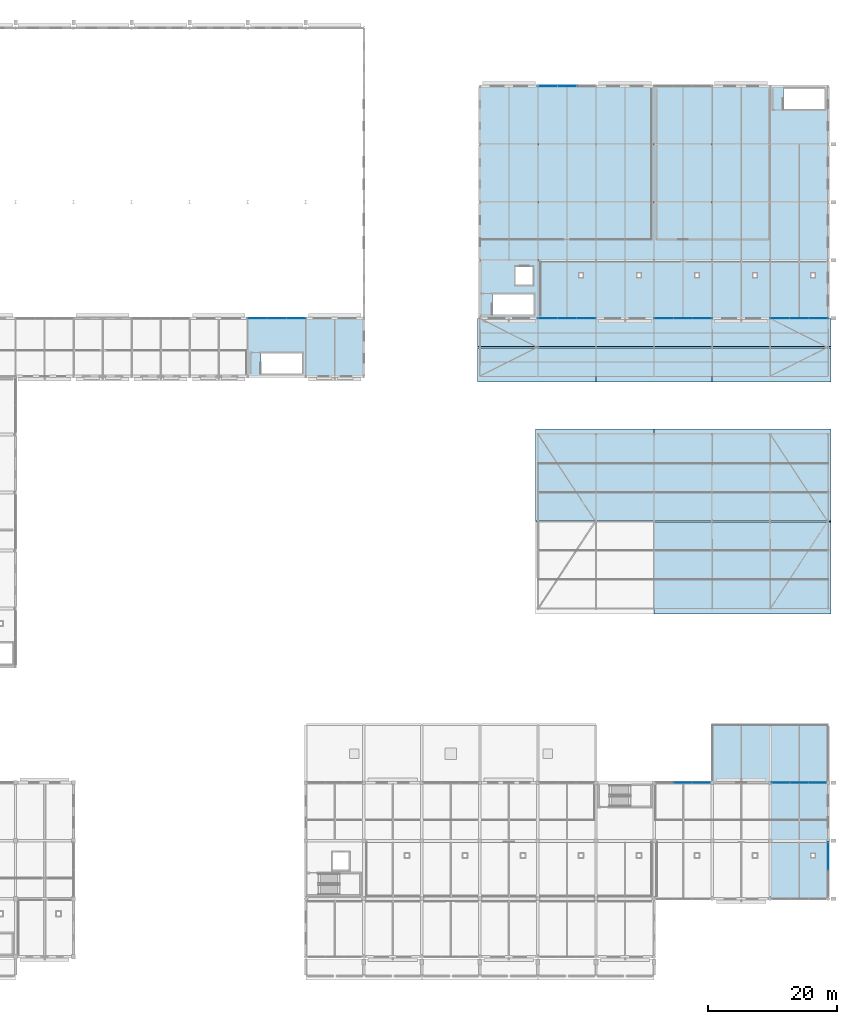
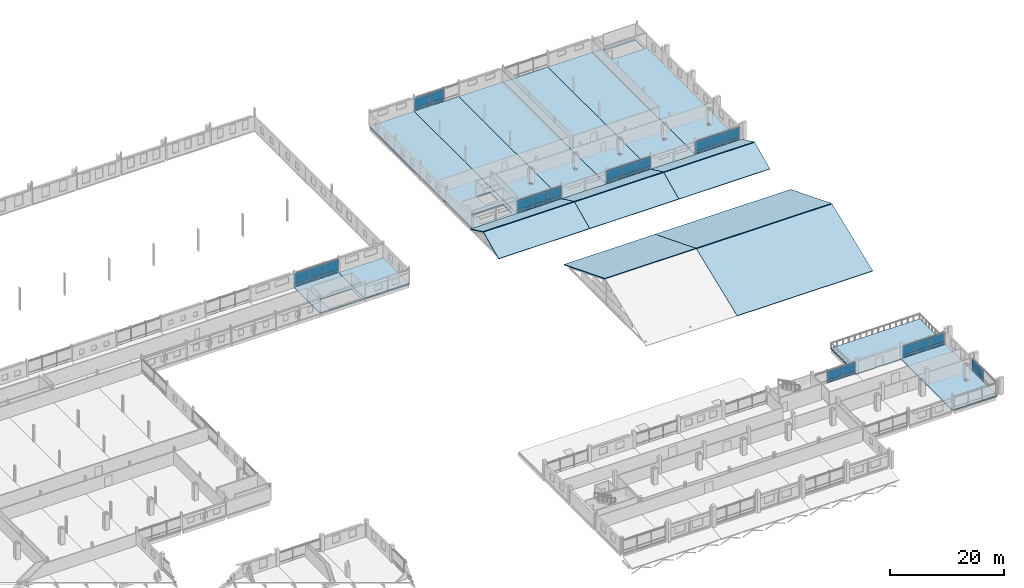
# One storey, part 96 of 132: 40 plates, 19 slabs, 8 elements without a shape of their own.
"""IFC4 building model written with IfcOpenShell, lengths in metres."""

from ifc_helpers import new_model, si_unit, direction, frame, origin, origin_2d, place, context, subcontext, project, spatial, polyline, rectangle, outline, extrude, material, layer, layer_set, type_object, element, aggregate, save


model = new_model("IFC4")

# Units and contexts
model_context = context("Model", 3, precision=1e-05, world=origin(), true_north=direction((0.0, 1.0)))
body_context = subcontext(model_context, "Body", "Model", "MODEL_VIEW")
ifc_project = project(units=[si_unit("LENGTHUNIT", "METRE"), si_unit("AREAUNIT", "SQUARE_METRE"), si_unit("VOLUMEUNIT", "CUBIC_METRE"), si_unit("PLANEANGLEUNIT", "RADIAN"), si_unit("MASSUNIT", "GRAM", prefix="KILO")], contexts=[model_context])

# Site, building, storey
site_placement = place(None, origin())
site = spatial("IfcSite", under=ifc_project, at=site_placement, CompositionType="ELEMENT")
building_placement = place(site_placement, origin())
building = spatial("IfcBuilding", under=site, at=building_placement, Name="Tharagai Park Tramway Depot", CompositionType="ELEMENT")
storey_placement = place(building_placement, frame((0.0, 0.0, 4.800048828125)))
storey = spatial("IfcBuildingStorey", under=building, at=storey_placement, Name="L01", CompositionType="ELEMENT", Elevation=4.800048828125)

# Curtain wall, plates
ifc_material_1 = material(Name="Anodised aluminium", Category="aluminium")
curtain_wall_type_1 = type_object("IfcCurtainWallType", Name="CW-06", PredefinedType="NOTDEFINED", material=ifc_material_1)
curtain_wall_1_placement = place(storey_placement, origin())
curtain_wall_1 = element("IfcCurtainWall", 1, at=curtain_wall_1_placement, inside=storey, type_object=curtain_wall_type_1, Name="L01 V5 Gothic Mullioned Curtain Wall CW-06", PredefinedType="NOTDEFINED")
ifc_layer_1 = layer(ifc_material_1, 0.0400390625)
ifc_layer_set_1 = layer_set([ifc_layer_1], Name="Anodised aluminium")
plate_type_1 = type_object("IfcPlateType", Name="CP-01", PredefinedType="CURTAIN_PANEL", material=ifc_layer_set_1)
plate_1_placement = place(storey_placement, frame((193.5, 27.0, 0.080078125), z_axis=(0.0, 0.0, 1.0), x_axis=(1.0, 0.0, 0.0)))
plate_1 = element("IfcPlate", 2, at=plate_1_placement, type_object=plate_type_1, Name="L01 V5 Gothic Mullioned Curtain Wall Spandrel Panel 2.1", PredefinedType="CURTAIN_PANEL", context=body_context, shape_type="SweptSolid", body=[
    extrude(rectangle(XDim=2.80322265625, YDim=0.0400390625, at=origin_2d()), origin(), (0.0, 0.0, 1.0), 0.550048828125),
])
plate_2_placement = place(storey_placement, frame((196.3232421875, 27.0, 0.080078125), z_axis=(0.0, 0.0, 1.0), x_axis=(1.0, 0.0, 0.0)))
plate_2 = element("IfcPlate", 3, at=plate_2_placement, type_object=plate_type_1, Name="L01 V5 Gothic Mullioned Curtain Wall Spandrel Panel 3.1", PredefinedType="CURTAIN_PANEL", context=body_context, shape_type="SweptSolid", body=[
    extrude(rectangle(XDim=2.80322265625, YDim=0.0400390625, at=origin_2d()), origin(), (0.0, 0.0, 1.0), 0.550048828125),
])

curtain_wall_2_placement = place(storey_placement, origin())
curtain_wall_2 = element("IfcCurtainWall", 4, at=curtain_wall_2_placement, inside=storey, type_object=curtain_wall_type_1, Name="L01 V5 Gothic Mullioned Curtain Wall CW-06", PredefinedType="NOTDEFINED")
plate_3_placement = place(storey_placement, frame((208.6767578125, 27.0, 0.080078125), z_axis=(0.0, 0.0, 1.0), x_axis=(1.0, 0.0, 0.0)))
plate_3 = element("IfcPlate", 5, at=plate_3_placement, type_object=plate_type_1, Name="L01 V5 Gothic Mullioned Curtain Wall Spandrel Panel 1.1", PredefinedType="CURTAIN_PANEL", context=body_context, shape_type="SweptSolid", body=[
    extrude(rectangle(XDim=2.80322265625, YDim=0.0400390625, at=origin_2d()), origin(), (0.0, 0.0, 1.0), 0.550048828125),
])
plate_4_placement = place(storey_placement, frame((211.5, 27.0, 0.080078125), z_axis=(0.0, 0.0, 1.0), x_axis=(1.0, 0.0, 0.0)))
plate_4 = element("IfcPlate", 6, at=plate_4_placement, type_object=plate_type_1, Name="L01 V5 Gothic Mullioned Curtain Wall Spandrel Panel 2.1", PredefinedType="CURTAIN_PANEL", context=body_context, shape_type="SweptSolid", body=[
    extrude(rectangle(XDim=2.80322265625, YDim=0.0400390625, at=origin_2d()), origin(), (0.0, 0.0, 1.0), 0.550048828125),
])
plate_5_placement = place(storey_placement, frame((214.3232421875, 27.0, 0.080078125), z_axis=(0.0, 0.0, 1.0), x_axis=(1.0, 0.0, 0.0)))
plate_5 = element("IfcPlate", 7, at=plate_5_placement, type_object=plate_type_1, Name="L01 V5 Gothic Mullioned Curtain Wall Spandrel Panel 3.1", PredefinedType="CURTAIN_PANEL", context=body_context, shape_type="SweptSolid", body=[
    extrude(rectangle(XDim=2.80322265625, YDim=0.0400390625, at=origin_2d()), origin(), (0.0, 0.0, 1.0), 0.550048828125),
])

curtain_wall_type_2 = type_object("IfcCurtainWallType", Name="CW-01", PredefinedType="NOTDEFINED", material=ifc_material_1)
curtain_wall_3_placement = place(storey_placement, origin())
curtain_wall_3 = element("IfcCurtainWall", 8, at=curtain_wall_3_placement, inside=storey, type_object=curtain_wall_type_2, Name="L01 V1 Gothic Mullioned Curtain Wall CW-01", PredefinedType="NOTDEFINED")
plate_6_placement = place(storey_placement, frame((127.497314453125, 99.0, 0.080078125), z_axis=(0.0, 0.0, 1.0), x_axis=(1.0, 0.0, 0.0)))
plate_6 = element("IfcPlate", 9, at=plate_6_placement, type_object=plate_type_1, Name="L01 V1 Gothic Mullioned Curtain Wall Spandrel Panel 1.1", PredefinedType="CURTAIN_PANEL", context=body_context, shape_type="SweptSolid", body=[
    extrude(rectangle(XDim=2.982666015625, YDim=0.0400390625, at=origin_2d()), origin(), (0.0, 0.0, 1.0), 0.550048828125),
])
plate_7_placement = place(storey_placement, frame((130.5, 99.0, 0.080078125), z_axis=(0.0, 0.0, 1.0), x_axis=(1.0, 0.0, 0.0)))
plate_7 = element("IfcPlate", 10, at=plate_7_placement, type_object=plate_type_1, Name="L01 V1 Gothic Mullioned Curtain Wall Spandrel Panel 2.1", PredefinedType="CURTAIN_PANEL", context=body_context, shape_type="SweptSolid", body=[
    extrude(rectangle(XDim=2.982666015625, YDim=0.0400390625, at=origin_2d()), origin(), (0.0, 0.0, 1.0), 0.550048828125),
])
plate_8_placement = place(storey_placement, frame((133.502685546875, 99.0, 0.080078125), z_axis=(0.0, 0.0, 1.0), x_axis=(1.0, 0.0, 0.0)))
plate_8 = element("IfcPlate", 11, at=plate_8_placement, type_object=plate_type_1, Name="L01 V1 Gothic Mullioned Curtain Wall Spandrel Panel 3.1", PredefinedType="CURTAIN_PANEL", context=body_context, shape_type="SweptSolid", body=[
    extrude(rectangle(XDim=2.982666015625, YDim=0.0400390625, at=origin_2d()), origin(), (0.0, 0.0, 1.0), 0.550048828125),
])

curtain_wall_4_placement = place(storey_placement, origin())
curtain_wall_4 = element("IfcCurtainWall", 12, at=curtain_wall_4_placement, inside=storey, type_object=curtain_wall_type_2, Name="L01 V3 Gothic Mullioned Curtain Wall CW-01", PredefinedType="NOTDEFINED")
plate_9_placement = place(storey_placement, frame((172.497314453125, 99.0, 0.080078125), z_axis=(0.0, 0.0, 1.0), x_axis=(1.0, 0.0, 0.0)))
plate_9 = element("IfcPlate", 13, at=plate_9_placement, type_object=plate_type_1, Name="L01 V3 Gothic Mullioned Curtain Wall Spandrel Panel 1.1", PredefinedType="CURTAIN_PANEL", context=body_context, shape_type="SweptSolid", body=[
    extrude(rectangle(XDim=2.982666015625, YDim=0.0400390625, at=origin_2d()), origin(), (0.0, 0.0, 1.0), 0.550048828125),
])
plate_10_placement = place(storey_placement, frame((175.5, 99.0, 0.080078125), z_axis=(0.0, 0.0, 1.0), x_axis=(1.0, 0.0, 0.0)))
plate_10 = element("IfcPlate", 14, at=plate_10_placement, type_object=plate_type_1, Name="L01 V3 Gothic Mullioned Curtain Wall Spandrel Panel 2.1", PredefinedType="CURTAIN_PANEL", context=body_context, shape_type="SweptSolid", body=[
    extrude(rectangle(XDim=2.982666015625, YDim=0.0400390625, at=origin_2d()), origin(), (0.0, 0.0, 1.0), 0.550048828125),
])
plate_11_placement = place(storey_placement, frame((178.502685546875, 99.0, 0.080078125), z_axis=(0.0, 0.0, 1.0), x_axis=(1.0, 0.0, 0.0)))
plate_11 = element("IfcPlate", 15, at=plate_11_placement, type_object=plate_type_1, Name="L01 V3 Gothic Mullioned Curtain Wall Spandrel Panel 3.1", PredefinedType="CURTAIN_PANEL", context=body_context, shape_type="SweptSolid", body=[
    extrude(rectangle(XDim=2.982666015625, YDim=0.0400390625, at=origin_2d()), origin(), (0.0, 0.0, 1.0), 0.550048828125),
])

curtain_wall_5_placement = place(storey_placement, origin())
curtain_wall_5 = element("IfcCurtainWall", 16, at=curtain_wall_5_placement, inside=storey, type_object=curtain_wall_type_2, Name="L01 V3 Gothic Mullioned Curtain Wall CW-01", PredefinedType="NOTDEFINED")
plate_12_placement = place(storey_placement, frame((190.497314453125, 99.0, 0.080078125), z_axis=(0.0, 0.0, 1.0), x_axis=(1.0, 0.0, 0.0)))
plate_12 = element("IfcPlate", 17, at=plate_12_placement, type_object=plate_type_1, Name="L01 V3 Gothic Mullioned Curtain Wall Spandrel Panel 1.1", PredefinedType="CURTAIN_PANEL", context=body_context, shape_type="SweptSolid", body=[
    extrude(rectangle(XDim=2.982666015625, YDim=0.0400390625, at=origin_2d()), origin(), (0.0, 0.0, 1.0), 0.550048828125),
])
plate_13_placement = place(storey_placement, frame((193.5, 99.0, 0.080078125), z_axis=(0.0, 0.0, 1.0), x_axis=(1.0, 0.0, 0.0)))
plate_13 = element("IfcPlate", 18, at=plate_13_placement, type_object=plate_type_1, Name="L01 V3 Gothic Mullioned Curtain Wall Spandrel Panel 2.1", PredefinedType="CURTAIN_PANEL", context=body_context, shape_type="SweptSolid", body=[
    extrude(rectangle(XDim=2.982666015625, YDim=0.0400390625, at=origin_2d()), origin(), (0.0, 0.0, 1.0), 0.550048828125),
])
plate_14_placement = place(storey_placement, frame((196.502685546875, 99.0, 0.080078125), z_axis=(0.0, 0.0, 1.0), x_axis=(1.0, 0.0, 0.0)))
plate_14 = element("IfcPlate", 19, at=plate_14_placement, type_object=plate_type_1, Name="L01 V3 Gothic Mullioned Curtain Wall Spandrel Panel 3.1", PredefinedType="CURTAIN_PANEL", context=body_context, shape_type="SweptSolid", body=[
    extrude(rectangle(XDim=2.982666015625, YDim=0.0400390625, at=origin_2d()), origin(), (0.0, 0.0, 1.0), 0.550048828125),
])

curtain_wall_6_placement = place(storey_placement, origin())
curtain_wall_6 = element("IfcCurtainWall", 20, at=curtain_wall_6_placement, inside=storey, type_object=curtain_wall_type_2, Name="L01 V3 Gothic Mullioned Curtain Wall CW-01", PredefinedType="NOTDEFINED")
plate_15_placement = place(storey_placement, frame((208.497314453125, 99.0, 0.080078125), z_axis=(0.0, 0.0, 1.0), x_axis=(1.0, 0.0, 0.0)))
plate_15 = element("IfcPlate", 21, at=plate_15_placement, type_object=plate_type_1, Name="L01 V3 Gothic Mullioned Curtain Wall Spandrel Panel 1.1", PredefinedType="CURTAIN_PANEL", context=body_context, shape_type="SweptSolid", body=[
    extrude(rectangle(XDim=2.982666015625, YDim=0.0400390625, at=origin_2d()), origin(), (0.0, 0.0, 1.0), 0.550048828125),
])
plate_16_placement = place(storey_placement, frame((211.5, 99.0, 0.080078125), z_axis=(0.0, 0.0, 1.0), x_axis=(1.0, 0.0, 0.0)))
plate_16 = element("IfcPlate", 22, at=plate_16_placement, type_object=plate_type_1, Name="L01 V3 Gothic Mullioned Curtain Wall Spandrel Panel 2.1", PredefinedType="CURTAIN_PANEL", context=body_context, shape_type="SweptSolid", body=[
    extrude(rectangle(XDim=2.982666015625, YDim=0.0400390625, at=origin_2d()), origin(), (0.0, 0.0, 1.0), 0.550048828125),
])
plate_17_placement = place(storey_placement, frame((214.502685546875, 99.0, 0.080078125), z_axis=(0.0, 0.0, 1.0), x_axis=(1.0, 0.0, 0.0)))
plate_17 = element("IfcPlate", 23, at=plate_17_placement, type_object=plate_type_1, Name="L01 V3 Gothic Mullioned Curtain Wall Spandrel Panel 3.1", PredefinedType="CURTAIN_PANEL", context=body_context, shape_type="SweptSolid", body=[
    extrude(rectangle(XDim=2.982666015625, YDim=0.0400390625, at=origin_2d()), origin(), (0.0, 0.0, 1.0), 0.550048828125),
])

curtain_wall_7_placement = place(storey_placement, origin())
curtain_wall_7 = element("IfcCurtainWall", 24, at=curtain_wall_7_placement, inside=storey, type_object=curtain_wall_type_2, Name="L01 V3 Gothic Mullioned Curtain Wall CW-01", PredefinedType="NOTDEFINED")
plate_18_placement = place(storey_placement, frame((172.497314453125, 135.0, 0.080078125), z_axis=(0.0, 0.0, 1.0), x_axis=(1.0, 0.0, 0.0)))
plate_18 = element("IfcPlate", 25, at=plate_18_placement, type_object=plate_type_1, Name="L01 V3 Gothic Mullioned Curtain Wall Spandrel Panel 1.1", PredefinedType="CURTAIN_PANEL", context=body_context, shape_type="SweptSolid", body=[
    extrude(rectangle(XDim=2.982666015625, YDim=0.0400390625, at=origin_2d()), origin(), (0.0, 0.0, 1.0), 0.550048828125),
])
plate_19_placement = place(storey_placement, frame((175.5, 135.0, 0.080078125), z_axis=(0.0, 0.0, 1.0), x_axis=(1.0, 0.0, 0.0)))
plate_19 = element("IfcPlate", 26, at=plate_19_placement, type_object=plate_type_1, Name="L01 V3 Gothic Mullioned Curtain Wall Spandrel Panel 2.1", PredefinedType="CURTAIN_PANEL", context=body_context, shape_type="SweptSolid", body=[
    extrude(rectangle(XDim=2.982666015625, YDim=0.0400390625, at=origin_2d()), origin(), (0.0, 0.0, 1.0), 0.550048828125),
])

# Curtain wall, plate
curtain_wall_type_3 = type_object("IfcCurtainWallType", Name="CW-07", PredefinedType="NOTDEFINED", material=ifc_material_1)
curtain_wall_8_placement = place(storey_placement, origin())
curtain_wall_8 = element("IfcCurtainWall", 27, at=curtain_wall_8_placement, inside=storey, type_object=curtain_wall_type_3, Name="L01 V5 Side Mullioned Curtain Wall CW-07", PredefinedType="NOTDEFINED")
plate_20_placement = place(storey_placement, frame((216.0, 15.617431640625, 0.080078125), z_axis=(0.0, 0.0, 1.0), x_axis=(0.0, 1.0, 0.0)))
plate_20 = element("IfcPlate", 28, at=plate_20_placement, type_object=plate_type_1, Name="L01 V5 Side Mullioned Curtain Wall Spandrel Panel 2.1", PredefinedType="CURTAIN_PANEL", context=body_context, shape_type="SweptSolid", body=[
    extrude(rectangle(XDim=4.215087890625, YDim=0.0400390625, at=origin_2d()), origin(), (0.0, 0.0, 1.0), 0.550048828125),
])

# Plate
ifc_material_2 = material(Name="Laminated solar-control glass", Category="glass")
ifc_layer_2 = layer(ifc_material_2, 0.028076171875)
ifc_layer_set_2 = layer_set([ifc_layer_2], Name="Laminated solar-control glass")
plate_type_2 = type_object("IfcPlateType", Name="CP-02", PredefinedType="CURTAIN_PANEL", material=ifc_layer_set_2)
plate_21_placement = place(storey_placement, frame((193.5, 27.0, 0.669921875), z_axis=(0.0, 0.0, 1.0), x_axis=(1.0, 0.0, 0.0)))
plate_21 = element("IfcPlate", 29, at=plate_21_placement, type_object=plate_type_2, Name="L01 V5 Gothic Mullioned Curtain Wall Glazed Panel 2.2", PredefinedType="CURTAIN_PANEL", context=body_context, shape_type="SweptSolid", body=[
    extrude(rectangle(XDim=2.80322265625, YDim=0.028076171875, at=origin_2d()), origin(), (0.0, 0.0, 1.0), 1.93994140625),
])

plate_22_placement = place(storey_placement, frame((196.3232421875, 27.0, 0.669921875), z_axis=(0.0, 0.0, 1.0), x_axis=(1.0, 0.0, 0.0)))
plate_22 = element("IfcPlate", 30, at=plate_22_placement, type_object=plate_type_2, Name="L01 V5 Gothic Mullioned Curtain Wall Glazed Panel 3.2", PredefinedType="CURTAIN_PANEL", context=body_context, shape_type="SweptSolid", body=[
    extrude(rectangle(XDim=2.80322265625, YDim=0.028076171875, at=origin_2d()), origin(), (0.0, 0.0, 1.0), 1.93994140625),
])

aggregate(curtain_wall_1, [plate_1, plate_21, plate_2, plate_22])

plate_23_placement = place(storey_placement, frame((208.6767578125, 27.0, 0.669921875), z_axis=(0.0, 0.0, 1.0), x_axis=(1.0, 0.0, 0.0)))
plate_23 = element("IfcPlate", 31, at=plate_23_placement, type_object=plate_type_2, Name="L01 V5 Gothic Mullioned Curtain Wall Glazed Panel 1.2", PredefinedType="CURTAIN_PANEL", context=body_context, shape_type="SweptSolid", body=[
    extrude(rectangle(XDim=2.80322265625, YDim=0.028076171875, at=origin_2d()), origin(), (0.0, 0.0, 1.0), 1.93994140625),
])

plate_24_placement = place(storey_placement, frame((211.5, 27.0, 0.669921875), z_axis=(0.0, 0.0, 1.0), x_axis=(1.0, 0.0, 0.0)))
plate_24 = element("IfcPlate", 32, at=plate_24_placement, type_object=plate_type_2, Name="L01 V5 Gothic Mullioned Curtain Wall Glazed Panel 2.2", PredefinedType="CURTAIN_PANEL", context=body_context, shape_type="SweptSolid", body=[
    extrude(rectangle(XDim=2.80322265625, YDim=0.028076171875, at=origin_2d()), origin(), (0.0, 0.0, 1.0), 1.93994140625),
])

plate_25_placement = place(storey_placement, frame((214.3232421875, 27.0, 0.669921875), z_axis=(0.0, 0.0, 1.0), x_axis=(1.0, 0.0, 0.0)))
plate_25 = element("IfcPlate", 33, at=plate_25_placement, type_object=plate_type_2, Name="L01 V5 Gothic Mullioned Curtain Wall Glazed Panel 3.2", PredefinedType="CURTAIN_PANEL", context=body_context, shape_type="SweptSolid", body=[
    extrude(rectangle(XDim=2.80322265625, YDim=0.028076171875, at=origin_2d()), origin(), (0.0, 0.0, 1.0), 1.93994140625),
])

aggregate(curtain_wall_2, [plate_3, plate_23, plate_4, plate_24, plate_5, plate_25])

plate_26_placement = place(storey_placement, frame((127.497314453125, 99.0, 0.669921875), z_axis=(0.0, 0.0, 1.0), x_axis=(1.0, 0.0, 0.0)))
plate_26 = element("IfcPlate", 34, at=plate_26_placement, type_object=plate_type_2, Name="L01 V1 Gothic Mullioned Curtain Wall Glazed Panel 1.2", PredefinedType="CURTAIN_PANEL", context=body_context, shape_type="SweptSolid", body=[
    extrude(rectangle(XDim=2.982666015625, YDim=0.028076171875, at=origin_2d()), origin(), (0.0, 0.0, 1.0), 2.280029296875),
])

plate_27_placement = place(storey_placement, frame((130.5, 99.0, 0.669921875), z_axis=(0.0, 0.0, 1.0), x_axis=(1.0, 0.0, 0.0)))
plate_27 = element("IfcPlate", 35, at=plate_27_placement, type_object=plate_type_2, Name="L01 V1 Gothic Mullioned Curtain Wall Glazed Panel 2.2", PredefinedType="CURTAIN_PANEL", context=body_context, shape_type="SweptSolid", body=[
    extrude(rectangle(XDim=2.982666015625, YDim=0.028076171875, at=origin_2d()), origin(), (0.0, 0.0, 1.0), 2.280029296875),
])

plate_28_placement = place(storey_placement, frame((133.502685546875, 99.0, 0.669921875), z_axis=(0.0, 0.0, 1.0), x_axis=(1.0, 0.0, 0.0)))
plate_28 = element("IfcPlate", 36, at=plate_28_placement, type_object=plate_type_2, Name="L01 V1 Gothic Mullioned Curtain Wall Glazed Panel 3.2", PredefinedType="CURTAIN_PANEL", context=body_context, shape_type="SweptSolid", body=[
    extrude(rectangle(XDim=2.982666015625, YDim=0.028076171875, at=origin_2d()), origin(), (0.0, 0.0, 1.0), 2.280029296875),
])

aggregate(curtain_wall_3, [plate_6, plate_26, plate_7, plate_27, plate_8, plate_28])

plate_29_placement = place(storey_placement, frame((172.497314453125, 99.0, 0.669921875), z_axis=(0.0, 0.0, 1.0), x_axis=(1.0, 0.0, 0.0)))
plate_29 = element("IfcPlate", 37, at=plate_29_placement, type_object=plate_type_2, Name="L01 V3 Gothic Mullioned Curtain Wall Glazed Panel 1.2", PredefinedType="CURTAIN_PANEL", context=body_context, shape_type="SweptSolid", body=[
    extrude(rectangle(XDim=2.982666015625, YDim=0.028076171875, at=origin_2d()), origin(), (0.0, 0.0, 1.0), 2.080078125),
])

plate_30_placement = place(storey_placement, frame((175.5, 99.0, 0.669921875), z_axis=(0.0, 0.0, 1.0), x_axis=(1.0, 0.0, 0.0)))
plate_30 = element("IfcPlate", 38, at=plate_30_placement, type_object=plate_type_2, Name="L01 V3 Gothic Mullioned Curtain Wall Glazed Panel 2.2", PredefinedType="CURTAIN_PANEL", context=body_context, shape_type="SweptSolid", body=[
    extrude(rectangle(XDim=2.982666015625, YDim=0.028076171875, at=origin_2d()), origin(), (0.0, 0.0, 1.0), 2.080078125),
])

plate_31_placement = place(storey_placement, frame((178.502685546875, 99.0, 0.669921875), z_axis=(0.0, 0.0, 1.0), x_axis=(1.0, 0.0, 0.0)))
plate_31 = element("IfcPlate", 39, at=plate_31_placement, type_object=plate_type_2, Name="L01 V3 Gothic Mullioned Curtain Wall Glazed Panel 3.2", PredefinedType="CURTAIN_PANEL", context=body_context, shape_type="SweptSolid", body=[
    extrude(rectangle(XDim=2.982666015625, YDim=0.028076171875, at=origin_2d()), origin(), (0.0, 0.0, 1.0), 2.080078125),
])

aggregate(curtain_wall_4, [plate_9, plate_29, plate_10, plate_30, plate_11, plate_31])

plate_32_placement = place(storey_placement, frame((190.497314453125, 99.0, 0.669921875), z_axis=(0.0, 0.0, 1.0), x_axis=(1.0, 0.0, 0.0)))
plate_32 = element("IfcPlate", 40, at=plate_32_placement, type_object=plate_type_2, Name="L01 V3 Gothic Mullioned Curtain Wall Glazed Panel 1.2", PredefinedType="CURTAIN_PANEL", context=body_context, shape_type="SweptSolid", body=[
    extrude(rectangle(XDim=2.982666015625, YDim=0.028076171875, at=origin_2d()), origin(), (0.0, 0.0, 1.0), 2.080078125),
])

plate_33_placement = place(storey_placement, frame((193.5, 99.0, 0.669921875), z_axis=(0.0, 0.0, 1.0), x_axis=(1.0, 0.0, 0.0)))
plate_33 = element("IfcPlate", 41, at=plate_33_placement, type_object=plate_type_2, Name="L01 V3 Gothic Mullioned Curtain Wall Glazed Panel 2.2", PredefinedType="CURTAIN_PANEL", context=body_context, shape_type="SweptSolid", body=[
    extrude(rectangle(XDim=2.982666015625, YDim=0.028076171875, at=origin_2d()), origin(), (0.0, 0.0, 1.0), 2.080078125),
])

plate_34_placement = place(storey_placement, frame((196.502685546875, 99.0, 0.669921875), z_axis=(0.0, 0.0, 1.0), x_axis=(1.0, 0.0, 0.0)))
plate_34 = element("IfcPlate", 42, at=plate_34_placement, type_object=plate_type_2, Name="L01 V3 Gothic Mullioned Curtain Wall Glazed Panel 3.2", PredefinedType="CURTAIN_PANEL", context=body_context, shape_type="SweptSolid", body=[
    extrude(rectangle(XDim=2.982666015625, YDim=0.028076171875, at=origin_2d()), origin(), (0.0, 0.0, 1.0), 2.080078125),
])

aggregate(curtain_wall_5, [plate_12, plate_32, plate_13, plate_33, plate_14, plate_34])

plate_35_placement = place(storey_placement, frame((208.497314453125, 99.0, 0.669921875), z_axis=(0.0, 0.0, 1.0), x_axis=(1.0, 0.0, 0.0)))
plate_35 = element("IfcPlate", 43, at=plate_35_placement, type_object=plate_type_2, Name="L01 V3 Gothic Mullioned Curtain Wall Glazed Panel 1.2", PredefinedType="CURTAIN_PANEL", context=body_context, shape_type="SweptSolid", body=[
    extrude(rectangle(XDim=2.982666015625, YDim=0.028076171875, at=origin_2d()), origin(), (0.0, 0.0, 1.0), 2.080078125),
])

plate_36_placement = place(storey_placement, frame((211.5, 99.0, 0.669921875), z_axis=(0.0, 0.0, 1.0), x_axis=(1.0, 0.0, 0.0)))
plate_36 = element("IfcPlate", 44, at=plate_36_placement, type_object=plate_type_2, Name="L01 V3 Gothic Mullioned Curtain Wall Glazed Panel 2.2", PredefinedType="CURTAIN_PANEL", context=body_context, shape_type="SweptSolid", body=[
    extrude(rectangle(XDim=2.982666015625, YDim=0.028076171875, at=origin_2d()), origin(), (0.0, 0.0, 1.0), 2.080078125),
])

plate_37_placement = place(storey_placement, frame((214.502685546875, 99.0, 0.669921875), z_axis=(0.0, 0.0, 1.0), x_axis=(1.0, 0.0, 0.0)))
plate_37 = element("IfcPlate", 45, at=plate_37_placement, type_object=plate_type_2, Name="L01 V3 Gothic Mullioned Curtain Wall Glazed Panel 3.2", PredefinedType="CURTAIN_PANEL", context=body_context, shape_type="SweptSolid", body=[
    extrude(rectangle(XDim=2.982666015625, YDim=0.028076171875, at=origin_2d()), origin(), (0.0, 0.0, 1.0), 2.080078125),
])

aggregate(curtain_wall_6, [plate_15, plate_35, plate_16, plate_36, plate_17, plate_37])

plate_38_placement = place(storey_placement, frame((172.497314453125, 135.0, 0.669921875), z_axis=(0.0, 0.0, 1.0), x_axis=(1.0, 0.0, 0.0)))
plate_38 = element("IfcPlate", 46, at=plate_38_placement, type_object=plate_type_2, Name="L01 V3 Gothic Mullioned Curtain Wall Glazed Panel 1.2", PredefinedType="CURTAIN_PANEL", context=body_context, shape_type="SweptSolid", body=[
    extrude(rectangle(XDim=2.982666015625, YDim=0.028076171875, at=origin_2d()), origin(), (0.0, 0.0, 1.0), 2.080078125),
])

plate_39_placement = place(storey_placement, frame((175.5, 135.0, 0.669921875), z_axis=(0.0, 0.0, 1.0), x_axis=(1.0, 0.0, 0.0)))
plate_39 = element("IfcPlate", 47, at=plate_39_placement, type_object=plate_type_2, Name="L01 V3 Gothic Mullioned Curtain Wall Glazed Panel 2.2", PredefinedType="CURTAIN_PANEL", context=body_context, shape_type="SweptSolid", body=[
    extrude(rectangle(XDim=2.982666015625, YDim=0.028076171875, at=origin_2d()), origin(), (0.0, 0.0, 1.0), 2.080078125),
])

aggregate(curtain_wall_7, [plate_18, plate_38, plate_19, plate_39])

plate_40_placement = place(storey_placement, frame((216.0, 15.617431640625, 0.669921875), z_axis=(0.0, 0.0, 1.0), x_axis=(0.0, 1.0, 0.0)))
plate_40 = element("IfcPlate", 48, at=plate_40_placement, type_object=plate_type_2, Name="L01 V5 Side Mullioned Curtain Wall Glazed Panel 2.2", PredefinedType="CURTAIN_PANEL", context=body_context, shape_type="SweptSolid", body=[
    extrude(rectangle(XDim=4.215087890625, YDim=0.028076171875, at=origin_2d()), origin(), (0.0, 0.0, 1.0), 1.93994140625),
])

aggregate(curtain_wall_8, [plate_20, plate_40])

# Slabs
ifc_material_3 = material(Name="Concrete M35", Category="concrete")
ifc_layer_3 = layer(ifc_material_3, 0.169921875)
ifc_layer_set_3 = layer_set([ifc_layer_3], Name="Concrete M35")
slab_type_1 = type_object("IfcSlabType", Name="RS-02", PredefinedType="ROOF", material=ifc_layer_set_3)
slab_1_placement = place(storey_placement, frame((161.60009765625, 89.14990234375, -0.396484375), z_axis=(0.0, -0.428547778767, 0.903519120613), x_axis=(1.0, 0.0, 0.0)))
element("IfcSlab", 49, at=slab_1_placement, inside=storey, type_object=slab_type_1, Name="V3A South Pitched Roof Slab 1", PredefinedType="ROOF", context=body_context, shape_type="SweptSolid", body=[
    extrude(outline(polyline([(0.0, 0.0), (18.39990234375, 0.0), (18.39990234375, 5.821691700398924), (0.0, 5.821691700398924), (0.0, 0.0)])), origin(), (0.0, 0.0, -1.0), 0.169921875),
])
slab_2_placement = place(storey_placement, frame((180.0, 99.0, 0.0), z_axis=(0.0, 0.42967159531, 0.902985227002), x_axis=(-1.0, 0.0, 0.0)))
element("IfcSlab", 50, at=slab_2_placement, inside=storey, type_object=slab_type_1, Name="V3A North Pitched Roof Slab 1", PredefinedType="ROOF", context=body_context, shape_type="SweptSolid", body=[
    extrude(outline(polyline([(0.0, 0.0), (18.39990234375, 0.0), (18.39990234375, 4.8837034953675875), (0.0, 4.8837034953675875), (0.0, 0.0)])), origin(), (0.0, 0.0, -1.0), 0.169921875),
])
slab_3_placement = place(storey_placement, frame((180.0, 89.14990234375, -0.396484375), z_axis=(0.0, -0.428547778767, 0.903519120613), x_axis=(1.0, 0.0, 0.0)))
element("IfcSlab", 51, at=slab_3_placement, inside=storey, type_object=slab_type_1, Name="V3A South Pitched Roof Slab 2", PredefinedType="ROOF", context=body_context, shape_type="SweptSolid", body=[
    extrude(outline(polyline([(0.0, 0.0), (18.0, 0.0), (18.0, 5.821691700398924), (0.0, 5.821691700398924), (0.0, 0.0)])), origin(), (0.0, 0.0, -1.0), 0.169921875),
])
slab_4_placement = place(storey_placement, frame((198.0, 99.0, 0.0), z_axis=(0.0, 0.42967159531, 0.902985227002), x_axis=(-1.0, 0.0, 0.0)))
element("IfcSlab", 52, at=slab_4_placement, inside=storey, type_object=slab_type_1, Name="V3A North Pitched Roof Slab 2", PredefinedType="ROOF", context=body_context, shape_type="SweptSolid", body=[
    extrude(outline(polyline([(0.0, 0.0), (18.0, 0.0), (18.0, 4.8837034953675875), (0.0, 4.8837034953675875), (0.0, 0.0)])), origin(), (0.0, 0.0, -1.0), 0.169921875),
])
slab_5_placement = place(storey_placement, frame((198.0, 89.14990234375, -0.396484375), z_axis=(0.0, -0.428547778767, 0.903519120613), x_axis=(1.0, 0.0, 0.0)))
element("IfcSlab", 53, at=slab_5_placement, inside=storey, type_object=slab_type_1, Name="V3A South Pitched Roof Slab 3", PredefinedType="ROOF", context=body_context, shape_type="SweptSolid", body=[
    extrude(outline(polyline([(0.0, 0.0), (18.39990234375, 0.0), (18.39990234375, 5.821691700398924), (0.0, 5.821691700398924), (0.0, 0.0)])), origin(), (0.0, 0.0, -1.0), 0.169921875),
])
slab_6_placement = place(storey_placement, frame((216.39990234375, 99.0, 0.0), z_axis=(0.0, 0.42967159531, 0.902985227002), x_axis=(-1.0, 0.0, 0.0)))
element("IfcSlab", 54, at=slab_6_placement, inside=storey, type_object=slab_type_1, Name="V3A North Pitched Roof Slab 3", PredefinedType="ROOF", context=body_context, shape_type="SweptSolid", body=[
    extrude(outline(polyline([(0.0, 0.0), (18.39990234375, 0.0), (18.39990234375, 4.8837034953675875), (0.0, 4.8837034953675875), (0.0, 0.0)])), origin(), (0.0, 0.0, -1.0), 0.169921875),
])
slab_7_placement = place(storey_placement, frame((189.0, 81.85009765625, -0.3349609375), z_axis=(0.0, 0.368499330509, 0.929628013463), x_axis=(-1.0, 0.0, 0.0)))
element("IfcSlab", 55, at=slab_7_placement, inside=storey, type_object=slab_type_1, Name="V6 North Pitched Roof Slab 1", PredefinedType="ROOF", context=body_context, shape_type="SweptSolid", body=[
    extrude(outline(polyline([(0.0, 0.0), (18.39990234375, 0.0), (18.39990234375, 15.33947940371383), (0.0, 15.33947940371383), (0.0, 0.0)])), origin(), (0.0, 0.0, -1.0), 0.169921875),
])
for number, where, z_axis, x_axis, name in (
    (56, (189.0, 53.14990234375, -0.3349609375), (0.0, -0.368499330509, 0.929628013463), (1.0, 0.0, 0.0), "V6 South Pitched Roof Slab 2"),
    (57, (216.39990234375, 81.85009765625, -0.3349609375), (0.0, 0.368499330509, 0.929628013463), (-1.0, 0.0, 0.0), "V6 North Pitched Roof Slab 2"),
):
    element("IfcSlab", number, at=place(storey_placement, frame(where, z_axis=z_axis, x_axis=x_axis)), inside=storey, type_object=slab_type_1, Name=name, PredefinedType="ROOF", context=body_context, shape_type="SweptSolid", body=[
        extrude(outline(polyline([(0.0, 0.0), (27.39990234375, 0.0), (27.39990234375, 15.339479403713828), (0.0, 15.339479403713828), (0.0, 0.0)])), origin(), (0.0, 0.0, -1.0), 0.169921875),
    ])
ifc_layer_4 = layer(ifc_material_3, 0.179931640625)
ifc_layer_set_4 = layer_set([ifc_layer_4], Name="Concrete M35")
slab_type_2 = type_object("IfcSlabType", Name="SB-01", PredefinedType="FLOOR", material=ifc_layer_set_4)
slab_8_placement = place(storey_placement, frame((0.0, 0.0, -0.179931640625)))
element("IfcSlab", 58, at=slab_8_placement, inside=storey, type_object=slab_type_2, Name="L01 V1 Suspended Floor Slab Bay 15", PredefinedType="FLOOR", context=body_context, shape_type="SweptSolid", body=[
    extrude(outline(polyline([(126.0, 90.0), (135.0, 90.0), (135.0, 99.0), (126.0, 99.0), (126.0, 90.0)]), holes=[polyline([(128.0400390625, 90.39990234375), (134.47998046875, 90.39990234375), (134.47998046875, 93.590087890625), (128.0400390625, 93.590087890625), (128.0400390625, 90.39990234375)])]), origin(), (0.0, 0.0, 1.0), 0.179931640625),
])
slab_9_placement = place(storey_placement, frame((0.0, 0.0, -0.179931640625)))
element("IfcSlab", 59, at=slab_9_placement, inside=storey, type_object=slab_type_2, Name="L01 V1 Suspended Floor Slab Bay 16", PredefinedType="FLOOR", context=body_context, shape_type="SweptSolid", body=[
    extrude(outline(polyline([(135.0, 90.0), (144.0, 90.0), (144.0, 99.0), (135.0, 99.0), (135.0, 90.0)])), origin(), (0.0, 0.0, 1.0), 0.179931640625),
])
ifc_layer_5 = layer(ifc_material_3, 0.280029296875)
ifc_layer_set_5 = layer_set([ifc_layer_5], Name="Concrete M35")
slab_type_3 = type_object("IfcSlabType", Name="SB-06", PredefinedType="FLOOR", material=ifc_layer_set_5)
slab_10_placement = place(storey_placement, frame((0.0, 0.0, -0.280029296875)))
element("IfcSlab", 60, at=slab_10_placement, inside=storey, type_object=slab_type_3, Name="L01 V3 Suspended Floor Slab Bay 1", PredefinedType="FLOOR", context=body_context, shape_type="SweptSolid", body=[
    extrude(outline(polyline([(162.0, 99.0), (171.0, 99.0), (171.0, 135.0), (162.0, 135.0), (162.0, 99.0)]), holes=[polyline([(163.919921875, 99.550048828125), (170.360107421875, 99.550048828125), (170.360107421875, 102.739990234375), (163.919921875, 102.739990234375), (163.919921875, 99.550048828125)]), polyline([(167.5, 104.199951171875), (170.199951171875, 104.199951171875), (170.199951171875, 107.0), (167.5, 107.0), (167.5, 104.199951171875)])]), origin(), (0.0, 0.0, 1.0), 0.280029296875),
])
slab_11_placement = place(storey_placement, frame((0.0, 0.0, -0.280029296875)))
element("IfcSlab", 61, at=slab_11_placement, inside=storey, type_object=slab_type_3, Name="L01 V3 Suspended Floor Slab Bay 2", PredefinedType="FLOOR", context=body_context, shape_type="SweptSolid", body=[
    extrude(outline(polyline([(171.0, 99.0), (180.0, 99.0), (180.0, 135.0), (171.0, 135.0), (171.0, 99.0)]), holes=[polyline([(177.39990234375, 105.39990234375), (177.949951171875, 105.39990234375), (177.949951171875, 105.949951171875), (177.39990234375, 105.949951171875), (177.39990234375, 105.39990234375)])]), origin(), (0.0, 0.0, 1.0), 0.280029296875),
])
slab_12_placement = place(storey_placement, frame((0.0, 0.0, -0.280029296875)))
element("IfcSlab", 62, at=slab_12_placement, inside=storey, type_object=slab_type_3, Name="L01 V3 Suspended Floor Slab Bay 3", PredefinedType="FLOOR", context=body_context, shape_type="SweptSolid", body=[
    extrude(outline(polyline([(180.0, 99.0), (189.0, 99.0), (189.0, 135.0), (180.0, 135.0), (180.0, 99.0)]), holes=[polyline([(186.39990234375, 105.39990234375), (186.949951171875, 105.39990234375), (186.949951171875, 105.949951171875), (186.39990234375, 105.949951171875), (186.39990234375, 105.39990234375)])]), origin(), (0.0, 0.0, 1.0), 0.280029296875),
])
slab_13_placement = place(storey_placement, frame((0.0, 0.0, -0.280029296875)))
element("IfcSlab", 63, at=slab_13_placement, inside=storey, type_object=slab_type_3, Name="L01 V3 Suspended Floor Slab Bay 4", PredefinedType="FLOOR", context=body_context, shape_type="SweptSolid", body=[
    extrude(outline(polyline([(189.0, 99.0), (198.0, 99.0), (198.0, 135.0), (189.0, 135.0), (189.0, 99.0)]), holes=[polyline([(195.39990234375, 105.39990234375), (195.949951171875, 105.39990234375), (195.949951171875, 105.949951171875), (195.39990234375, 105.949951171875), (195.39990234375, 105.39990234375)])]), origin(), (0.0, 0.0, 1.0), 0.280029296875),
])
slab_14_placement = place(storey_placement, frame((0.0, 0.0, -0.280029296875)))
element("IfcSlab", 64, at=slab_14_placement, inside=storey, type_object=slab_type_3, Name="L01 V3 Suspended Floor Slab Bay 5", PredefinedType="FLOOR", context=body_context, shape_type="SweptSolid", body=[
    extrude(outline(polyline([(198.0, 99.0), (207.0, 99.0), (207.0, 135.0), (198.0, 135.0), (198.0, 99.0)]), holes=[polyline([(204.39990234375, 105.39990234375), (204.949951171875, 105.39990234375), (204.949951171875, 105.949951171875), (204.39990234375, 105.949951171875), (204.39990234375, 105.39990234375)])]), origin(), (0.0, 0.0, 1.0), 0.280029296875),
])
slab_15_placement = place(storey_placement, frame((0.0, 0.0, -0.280029296875)))
element("IfcSlab", 65, at=slab_15_placement, inside=storey, type_object=slab_type_3, Name="L01 V3 Suspended Floor Slab Bay 6", PredefinedType="FLOOR", context=body_context, shape_type="SweptSolid", body=[
    extrude(outline(polyline([(207.0, 99.0), (216.0, 99.0), (216.0, 135.0), (207.0, 135.0), (207.0, 99.0)]), holes=[polyline([(209.0400390625, 131.409912109375), (215.47998046875, 131.409912109375), (215.47998046875, 134.60009765625), (209.0400390625, 134.60009765625), (209.0400390625, 131.409912109375)]), polyline([(213.39990234375, 105.39990234375), (213.949951171875, 105.39990234375), (213.949951171875, 105.949951171875), (213.39990234375, 105.949951171875), (213.39990234375, 105.39990234375)])]), origin(), (0.0, 0.0, 1.0), 0.280029296875),
])
ifc_layer_6 = layer(ifc_material_3, 0.18994140625)
ifc_layer_set_6 = layer_set([ifc_layer_6], Name="Concrete M35")
slab_type_4 = type_object("IfcSlabType", Name="SB-10", PredefinedType="FLOOR", material=ifc_layer_set_6)
slab_16_placement = place(storey_placement, frame((0.0, 0.0, -0.18994140625)))
element("IfcSlab", 66, at=slab_16_placement, inside=storey, type_object=slab_type_4, Name="L01 Park Loggia Terrace Slab", PredefinedType="FLOOR", context=body_context, shape_type="SweptSolid", body=[
    extrude(outline(polyline([(198.0, 27.0), (216.0, 27.0), (216.0, 36.0), (198.0, 36.0), (198.0, 27.0)])), origin(), (0.0, 0.0, 1.0), 0.18994140625),
])
ifc_layer_7 = layer(ifc_material_3, 0.22998046875)
ifc_layer_set_7 = layer_set([ifc_layer_7], Name="Concrete M35")
slab_type_5 = type_object("IfcSlabType", Name="SB-12", PredefinedType="FLOOR", material=ifc_layer_set_7)
slab_17_placement = place(storey_placement, frame((0.0, 0.0, -0.22998046875)))
element("IfcSlab", 67, at=slab_17_placement, inside=storey, type_object=slab_type_5, Name="L01 V5 Suspended Floor Slab Bay 9", PredefinedType="FLOOR", context=body_context, shape_type="SweptSolid", body=[
    extrude(outline(polyline([(207.0, 9.0), (216.0, 9.0), (216.0, 27.0), (207.0, 27.0), (207.0, 9.0)]), holes=[polyline([(213.39990234375, 15.39990234375), (213.949951171875, 15.39990234375), (213.949951171875, 15.949951171875), (213.39990234375, 15.949951171875), (213.39990234375, 15.39990234375)])]), origin(), (0.0, 0.0, 1.0), 0.22998046875),
])

save(model, "model.ifc")
